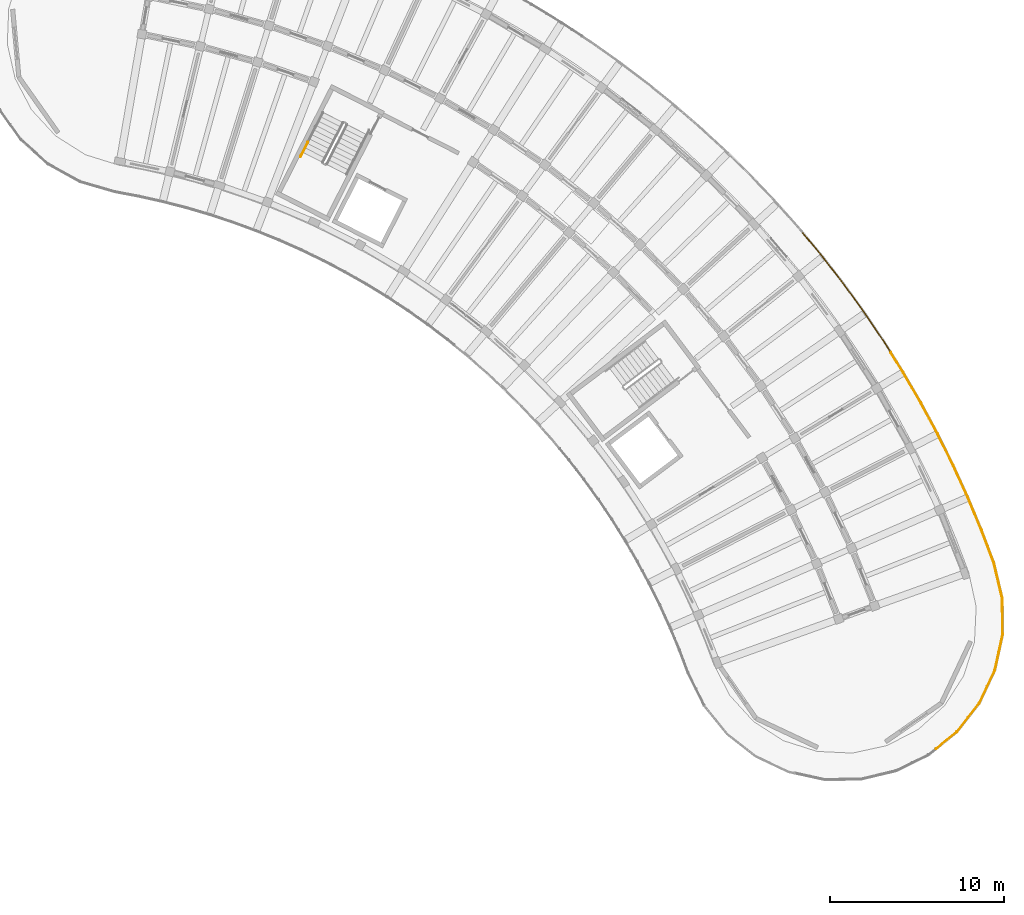
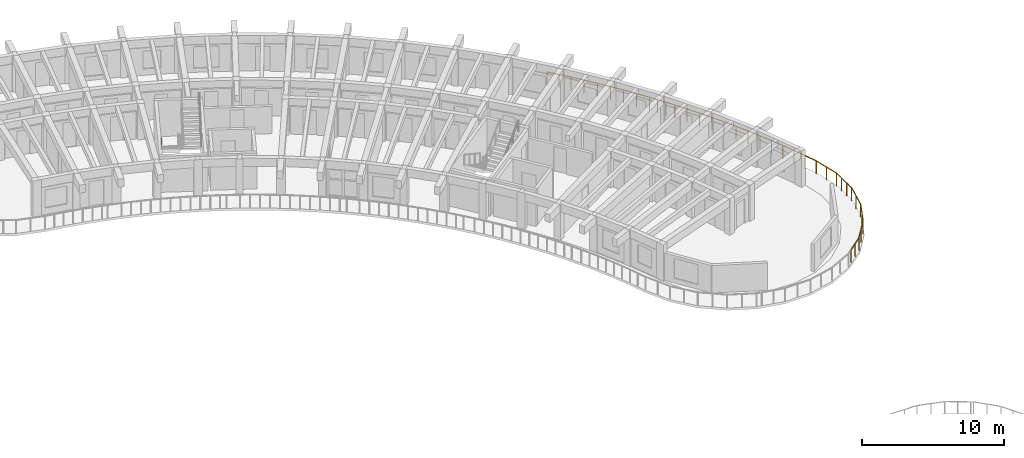
# One storey, part 54 of 56: 5 railings.
"""IFC4 building model written with IfcOpenShell, lengths in metres."""

from ifc_helpers import new_model, si_unit, direction, frame, origin, origin_2d, place, context, subcontext, project, spatial, circle, extrude, material, type_object, element, save


model = new_model("IFC4")

# Units and contexts
model_context = context("Model", 3, precision=1e-05, world=origin(), true_north=direction((0.0, 1.0)))
body_context = subcontext(model_context, "Body", "Model", "MODEL_VIEW")
ifc_project = project(units=[si_unit("LENGTHUNIT", "METRE"), si_unit("AREAUNIT", "SQUARE_METRE"), si_unit("VOLUMEUNIT", "CUBIC_METRE"), si_unit("PLANEANGLEUNIT", "RADIAN"), si_unit("MASSUNIT", "GRAM", prefix="KILO")], contexts=[model_context])

# Site, building, storey
site_placement = place(None, origin())
site = spatial("IfcSite", under=ifc_project, at=site_placement, CompositionType="ELEMENT")
building_placement = place(site_placement, origin())
building = spatial("IfcBuilding", under=site, at=building_placement, Name="Tanwirah Colonnade Gardens", CompositionType="ELEMENT")
storey_placement = place(building_placement, frame((0.0, 0.0, 29.0)))
storey = spatial("IfcBuildingStorey", under=building, at=storey_placement, Name="L08", CompositionType="ELEMENT", Elevation=29.0)

# Railings
ifc_material_1 = material(Name="Precast concrete C40/50", Category="concrete")
railing_type_1 = type_object("IfcRailingType", Name="BAL-EXT112", PredefinedType="BALUSTRADE", material=ifc_material_1)
railing_1_placement = place(storey_placement, frame((167.731201171875, 99.898193359375, 0.0)))
element("IfcRailing", 1, at=railing_1_placement, inside=storey, type_object=railing_type_1, Name="Block B L08 Balcony Ribbon Balustrade 15", PredefinedType="BALUSTRADE", context=body_context, shape_type="SweptSolid", body=[
    extrude(circle(Radius=0.02392578125, at=origin_2d()), frame((0.02001953125, -0.024169921875, 1.09619140625), z_axis=(0.637484398615, -0.770463264226, 0.0), x_axis=(0.770463264226, 0.637484398615, 0.0)), (0.0, 0.0, 1.0), 1.736572265625),
    extrude(circle(Radius=0.02392578125, at=origin_2d()), frame((1.166015625, -1.410888671875, 1.09619140625), z_axis=(0.611856467608, -0.790968812942, 0.0), x_axis=(0.790968812942, 0.611856467608, 0.0)), (0.0, 0.0, 1.0), 1.958984375),
    extrude(circle(Radius=0.02392578125, at=origin_2d()), frame((2.402099609375, -3.010498046875, 1.09619140625), z_axis=(0.585468507287, -0.810695150457, 0.0), x_axis=(0.810695150457, 0.585468507287, 0.0)), (0.0, 0.0, 1.0), 1.958984375),
    extrude(circle(Radius=0.02392578125, at=origin_2d()), frame((3.584716796875, -4.64990234375, 1.09619140625), z_axis=(0.558345997542, -0.829608188863, 0.0), x_axis=(0.829608188863, 0.558345997542, 0.0)), (0.0, 0.0, 1.0), 1.958984375),
    extrude(circle(Radius=0.02392578125, at=origin_2d()), frame((4.712646484375, -6.32763671875, 1.09619140625), z_axis=(0.530654085897, -0.847588485717, 0.0), x_axis=(0.847588485717, 0.530654085897, 0.0)), (0.0, 0.0, 1.0), 0.57373046875),
    extrude(circle(Radius=0.02099609375, at=origin_2d()), origin(), (0.0, 0.0, 1.0), 1.069091796875),
    extrude(circle(Radius=0.02099609375, at=origin_2d()), frame((0.573486328125, -0.693115234375, 0.0)), (0.0, 0.0, 1.0), 1.069091796875),
    extrude(circle(Radius=0.02099609375, at=origin_2d()), frame((1.14697265625, -1.38623046875, 0.0)), (0.0, 0.0, 1.0), 1.069091796875),
    extrude(circle(Radius=0.02099609375, at=origin_2d()), frame((1.765380859375, -2.185546875, 0.0)), (0.0, 0.0, 1.0), 1.069091796875),
    extrude(circle(Radius=0.02099609375, at=origin_2d()), frame((2.3837890625, -2.985107421875, 0.0)), (0.0, 0.0, 1.0), 1.069091796875),
    extrude(circle(Radius=0.02099609375, at=origin_2d()), frame((2.9755859375, -3.8046875, 0.0)), (0.0, 0.0, 1.0), 1.069091796875),
    extrude(circle(Radius=0.02099609375, at=origin_2d()), frame((3.5673828125, -4.6240234375, 0.0)), (0.0, 0.0, 1.0), 1.069091796875),
    extrude(circle(Radius=0.02099609375, at=origin_2d()), frame((4.1318359375, -5.46240234375, 0.0)), (0.0, 0.0, 1.0), 1.069091796875),
    extrude(circle(Radius=0.02099609375, at=origin_2d()), frame((4.696044921875, -6.301025390625, 0.0)), (0.0, 0.0, 1.0), 1.069091796875),
    extrude(circle(Radius=0.02099609375, at=origin_2d()), frame((5.03369140625, -6.84033203125, 0.0)), (0.0, 0.0, 1.0), 1.069091796875),
])
railing_2_placement = place(storey_placement, frame((172.764892578125, 93.057861328125, 0.0)))
element("IfcRailing", 2, at=railing_2_placement, inside=storey, type_object=railing_type_1, Name="Block B L08 Balcony Ribbon Balustrade 16", PredefinedType="BALUSTRADE", context=body_context, shape_type="SweptSolid", body=[
    extrude(circle(Radius=0.02392578125, at=origin_2d()), frame((0.0166015625, -0.026611328125, 1.09619140625), z_axis=(0.530885875819, -0.847443323684, 0.0), x_axis=(0.847443323684, 0.530885875819, 0.0)), (0.0, 0.0, 1.0), 1.322509765625),
    extrude(circle(Radius=0.02392578125, at=origin_2d()), frame((0.7509765625, -1.200927734375, 1.09619140625), z_axis=(0.502421024862, -0.864623105045, 0.0), x_axis=(0.864623105045, 0.502421024862, 0.0)), (0.0, 0.0, 1.0), 1.958984375),
    extrude(circle(Radius=0.02392578125, at=origin_2d()), frame((1.765869140625, -2.94921875, 1.09619140625), z_axis=(0.473826102441, -0.88061843306, 0.0), x_axis=(0.88061843306, 0.473826102441, 0.0)), (0.0, 0.0, 1.0), 1.958740234375),
    extrude(circle(Radius=0.02392578125, at=origin_2d()), frame((2.72265625, -4.729736328125, 1.09619140625), z_axis=(0.444409688214, -0.895823659557, 0.0), x_axis=(0.895823659557, 0.444409688214, 0.0)), (0.0, 0.0, 1.0), 1.959228515625),
    extrude(circle(Radius=0.02392578125, at=origin_2d()), frame((3.6201171875, -6.541259765625, 1.09619140625), z_axis=(0.414660852959, -0.909976031016, 0.0), x_axis=(0.909976031016, 0.414660852959, 0.0)), (0.0, 0.0, 1.0), 0.98779296875),
    extrude(circle(Radius=0.02099609375, at=origin_2d()), origin(), (0.0, 0.0, 1.0), 1.069091796875),
    extrude(circle(Radius=0.02099609375, at=origin_2d()), frame((0.36767578125, -0.5869140625, 0.0)), (0.0, 0.0, 1.0), 1.069091796875),
    extrude(circle(Radius=0.02099609375, at=origin_2d()), frame((0.7353515625, -1.173828125, 0.0)), (0.0, 0.0, 1.0), 1.069091796875),
    extrude(circle(Radius=0.02099609375, at=origin_2d()), frame((1.2431640625, -2.0478515625, 0.0)), (0.0, 0.0, 1.0), 1.069091796875),
    extrude(circle(Radius=0.02099609375, at=origin_2d()), frame((1.7509765625, -2.921630859375, 0.0)), (0.0, 0.0, 1.0), 1.069091796875),
    extrude(circle(Radius=0.02099609375, at=origin_2d()), frame((2.22998046875, -3.8115234375, 0.0)), (0.0, 0.0, 1.0), 1.069091796875),
    extrude(circle(Radius=0.02099609375, at=origin_2d()), frame((2.708740234375, -4.70166015625, 0.0)), (0.0, 0.0, 1.0), 1.069091796875),
    extrude(circle(Radius=0.02099609375, at=origin_2d()), frame((3.157958984375, -5.607177734375, 0.0)), (0.0, 0.0, 1.0), 1.069091796875),
    extrude(circle(Radius=0.02099609375, at=origin_2d()), frame((3.607177734375, -6.5126953125, 0.0)), (0.0, 0.0, 1.0), 1.069091796875),
    extrude(circle(Radius=0.02099609375, at=origin_2d()), frame((4.042724609375, -7.468505859375, 0.0)), (0.0, 0.0, 1.0), 1.069091796875),
])
railing_3_placement = place(storey_placement, frame((176.8076171875, 85.58935546875, 0.0)))
element("IfcRailing", 3, at=railing_3_placement, inside=storey, type_object=railing_type_1, Name="Block B L08 Balcony Ribbon Balustrade 17", PredefinedType="BALUSTRADE", context=body_context, shape_type="SweptSolid", body=[
    extrude(circle(Radius=0.02392578125, at=origin_2d()), frame((0.012939453125, -0.028564453125, 1.09619140625), z_axis=(0.414844520289, -0.9098923145, 0.0), x_axis=(0.9098923145, 0.414844520289, 0.0)), (0.0, 0.0, 1.0), 0.908447265625),
    extrude(circle(Radius=0.02392578125, at=origin_2d()), frame((0.414794921875, -0.912353515625, 1.09619140625), z_axis=(0.384409566544, -0.92316265368, 0.0), x_axis=(0.92316265368, 0.384409566544, 0.0)), (0.0, 0.0, 1.0), 1.958984375),
    extrude(circle(Radius=0.02392578125, at=origin_2d()), frame((1.19091796875, -2.779052734375, 1.09619140625), z_axis=(0.353840598901, -0.93530574176, 0.0), x_axis=(0.93530574176, 0.353840598901, 0.0)), (0.0, 0.0, 1.0), 1.955078125),
    extrude(circle(Radius=0.02392578125, at=origin_2d()), frame((1.901123046875, -4.667236328125, 1.09619140625), z_axis=(0.230978471845, -0.972958861178, 0.0), x_axis=(0.972958861178, 0.230978471845, 0.0)), (0.0, 0.0, 1.0), 2.028076171875),
    extrude(circle(Radius=0.02392578125, at=origin_2d()), frame((2.376953125, -6.7021484375, 1.09619140625), z_axis=(0.00854967878, -0.999963450828, 0.0), x_axis=(0.999963450828, 0.00854967878, 0.0)), (0.0, 0.0, 1.0), 1.336669921875),
    extrude(circle(Radius=0.02099609375, at=origin_2d()), origin(), (0.0, 0.0, 1.0), 1.069091796875),
    extrude(circle(Radius=0.02099609375, at=origin_2d()), frame((0.40283203125, -0.883544921875, 0.0)), (0.0, 0.0, 1.0), 1.069091796875),
    extrude(circle(Radius=0.02099609375, at=origin_2d()), frame((0.79150390625, -1.816650390625, 0.0)), (0.0, 0.0, 1.0), 1.069091796875),
    extrude(circle(Radius=0.02099609375, at=origin_2d()), frame((1.179931640625, -2.749755859375, 0.0)), (0.0, 0.0, 1.0), 1.069091796875),
    extrude(circle(Radius=0.02099609375, at=origin_2d()), frame((1.536865234375, -3.693359375, 0.0)), (0.0, 0.0, 1.0), 1.069091796875),
    extrude(circle(Radius=0.02099609375, at=origin_2d()), frame((1.893798828125, -4.63671875, 0.0)), (0.0, 0.0, 1.0), 1.069091796875),
    extrude(circle(Radius=0.02099609375, at=origin_2d()), frame((2.13525390625, -5.65380859375, 0.0)), (0.0, 0.0, 1.0), 1.069091796875),
    extrude(circle(Radius=0.02099609375, at=origin_2d()), frame((2.376708984375, -6.6708984375, 0.0)), (0.0, 0.0, 1.0), 1.069091796875),
    extrude(circle(Radius=0.02099609375, at=origin_2d()), frame((2.3828125, -7.37060546875, 0.0)), (0.0, 0.0, 1.0), 1.069091796875),
    extrude(circle(Radius=0.02099609375, at=origin_2d()), frame((2.388671875, -8.070068359375, 0.0)), (0.0, 0.0, 1.0), 1.069091796875),
])
railing_4_placement = place(storey_placement, frame((179.1962890625, 77.519287109375, 0.0)))
element("IfcRailing", 4, at=railing_4_placement, inside=storey, type_object=railing_type_1, Name="Block B L08 Balcony Ribbon Balustrade 18", PredefinedType="BALUSTRADE", context=body_context, shape_type="SweptSolid", body=[
    extrude(circle(Radius=0.02392578125, at=origin_2d()), frame((0.000244140625, -0.03125, 1.09619140625), z_axis=(0.008519392625, -0.999963709316, 0.0), x_axis=(0.999963709316, 0.008519392625, 0.0)), (0.0, 0.0, 1.0), 0.625244140625),
    extrude(circle(Radius=0.02392578125, at=origin_2d()), frame((-0.000732421875, -0.71826171875, 1.09619140625), z_axis=(-0.21408063073, -0.976815992675, 0.0), x_axis=(0.976815992675, -0.21408063073, 0.0)), (0.0, 0.0, 1.0), 2.0244140625),
    extrude(circle(Radius=0.02392578125, at=origin_2d()), frame((-0.454345703125, -2.754638671875, 1.09619140625), z_axis=(-0.426174464786, -0.90464099264, 0.0), x_axis=(0.90464099264, -0.426174464786, 0.0)), (0.0, 0.0, 1.0), 2.0244140625),
    extrude(circle(Radius=0.02392578125, at=origin_2d()), frame((-1.349609375, -4.638916015625, 1.09619140625), z_axis=(-0.616787640838, -0.78712959931, 0.0), x_axis=(0.78712959931, -0.616787640838, 0.0)), (0.0, 0.0, 1.0), 2.024169921875),
    extrude(circle(Radius=0.02392578125, at=origin_2d()), frame((-2.6416015625, -6.276611328125, 1.09619140625), z_axis=(-0.776412341087, -0.630225258624, 0.0), x_axis=(0.630225258624, -0.776412341087, 0.0)), (0.0, 0.0, 1.0), 1.489013671875),
    extrude(circle(Radius=0.02099609375, at=origin_2d()), origin(), (0.0, 0.0, 1.0), 1.069091796875),
    extrude(circle(Radius=0.02099609375, at=origin_2d()), frame((0.005859375, -0.687744140625, 0.0)), (0.0, 0.0, 1.0), 1.069091796875),
    extrude(circle(Radius=0.02099609375, at=origin_2d()), frame((-0.217529296875, -1.70703125, 0.0)), (0.0, 0.0, 1.0), 1.069091796875),
    extrude(circle(Radius=0.02099609375, at=origin_2d()), frame((-0.44091796875, -2.726318359375, 0.0)), (0.0, 0.0, 1.0), 1.069091796875),
    extrude(circle(Radius=0.02099609375, at=origin_2d()), frame((-0.8857421875, -3.67041015625, 0.0)), (0.0, 0.0, 1.0), 1.069091796875),
    extrude(circle(Radius=0.02099609375, at=origin_2d()), frame((-1.330322265625, -4.6142578125, 0.0)), (0.0, 0.0, 1.0), 1.069091796875),
    extrude(circle(Radius=0.02099609375, at=origin_2d()), frame((-1.973876953125, -5.435546875, 0.0)), (0.0, 0.0, 1.0), 1.069091796875),
    extrude(circle(Radius=0.02099609375, at=origin_2d()), frame((-2.617431640625, -6.2568359375, 0.0)), (0.0, 0.0, 1.0), 1.069091796875),
    extrude(circle(Radius=0.02099609375, at=origin_2d()), frame((-3.2197265625, -6.74560546875, 0.0)), (0.0, 0.0, 1.0), 1.069091796875),
    extrude(circle(Radius=0.02099609375, at=origin_2d()), frame((-3.822021484375, -7.234619140625, 0.0)), (0.0, 0.0, 1.0), 1.069091796875),
])
ifc_material_2 = material(Name="Brushed bronze stainless steel", Category="steel")
railing_type_2 = type_object("IfcRailingType", Name="HR-ST090", PredefinedType="HANDRAIL", material=ifc_material_2)
railing_5_placement = place(storey_placement, frame((139.341796875, 105.118896484375, 1.300048828125)))
element("IfcRailing", 5, at=railing_5_placement, inside=storey, type_object=railing_type_2, Name="L08 ST-B2 stair handrail 3", PredefinedType="HANDRAIL", context=body_context, shape_type="SweptSolid", body=[
    extrude(circle(Radius=0.02392578125, at=origin_2d()), frame((-0.01220703125, -0.02392578125, 0.891845703125), z_axis=(-0.38993033558, -0.765508761867, 0.511811165275), x_axis=(0.891061070925, -0.453883429839, 0.0)), (0.0, 0.0, 1.0), 1.043212890625),
    extrude(circle(Radius=0.02099609375, at=origin_2d()), origin(), (0.0, 0.0, 1.0), 0.848876953125),
    extrude(circle(Radius=0.02099609375, at=origin_2d()), frame((-0.43115234375, -0.846435546875, 0.56591796875)), (0.0, 0.0, 1.0), 0.848876953125),
])

save(model, "model.ifc")
